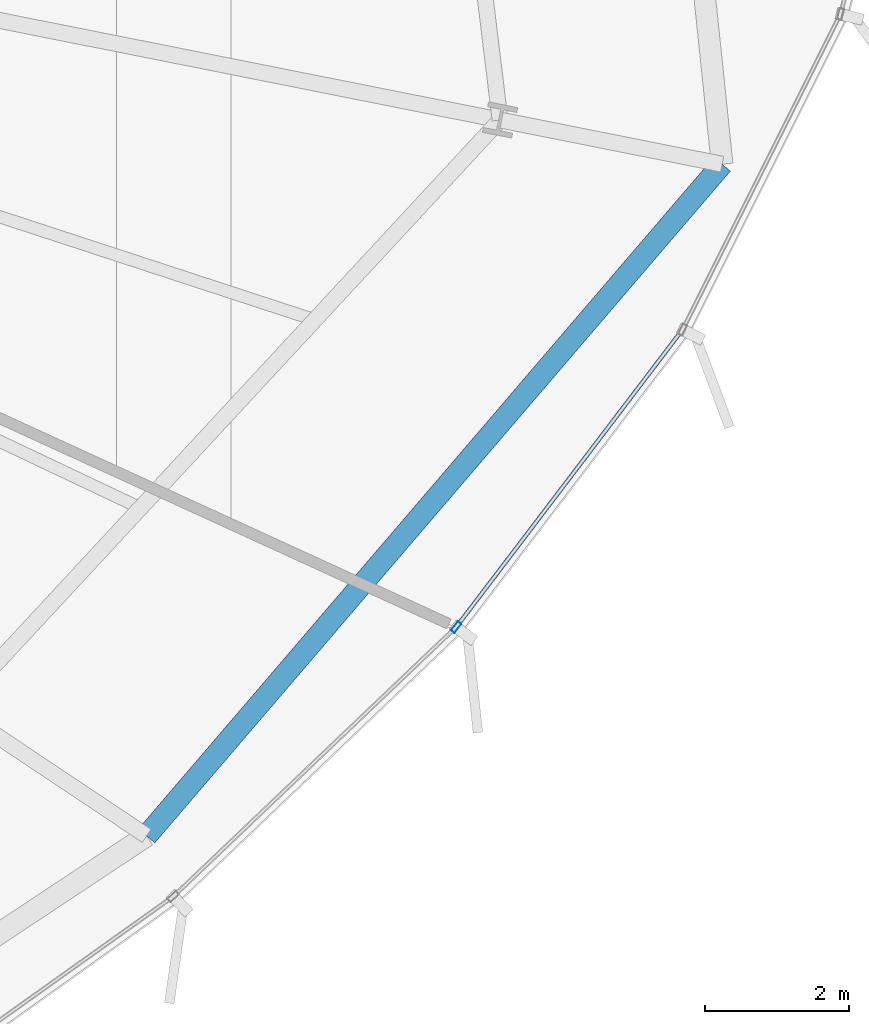
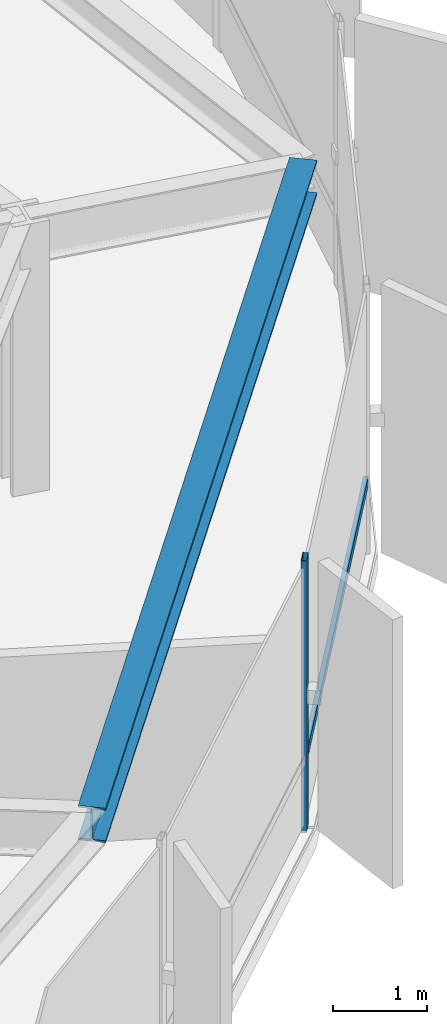
# One storey, part 14 of 38: 2 members, 1 beam, 1 element without a shape of its own.
"""IFC4 building model written with IfcOpenShell, lengths in metres."""

from ifc_helpers import new_model, si_unit, direction, frame, origin, origin_2d, place, context, subcontext, project, spatial, hollow_rectangle, i_section, extrude, source, transform, mapped, material, layer, layer_set, material_profile, profile_set, type_object, element, aggregate, save


model = new_model("IFC4")

# Units and contexts
model_context = context("Model", 3, precision=1e-05, world=origin(), true_north=direction((0.0, 1.0)))
body_context = subcontext(model_context, "Body", "Model", "MODEL_VIEW")
ifc_project = project(units=[si_unit("LENGTHUNIT", "METRE"), si_unit("AREAUNIT", "SQUARE_METRE"), si_unit("VOLUMEUNIT", "CUBIC_METRE"), si_unit("PLANEANGLEUNIT", "RADIAN"), si_unit("MASSUNIT", "GRAM", prefix="KILO"), si_unit("THERMODYNAMICTEMPERATUREUNIT", "KELVIN")], contexts=[model_context])

# Site, building, storey
site_placement = place(None, origin())
site = spatial("IfcSite", under=ifc_project, at=site_placement, CompositionType="ELEMENT")
building_placement = place(site_placement, origin())
building = spatial("IfcBuilding", under=site, at=building_placement, Name="Kethvar Cultural Tower", CompositionType="ELEMENT")
storey_placement = place(building_placement, frame((0.0, 0.0, 63.800048828125)))
storey = spatial("IfcBuildingStorey", under=building, at=storey_placement, Name="L15", CompositionType="ELEMENT", Elevation=63.800048828125)

# Beam
ifc_material_1 = material(Name="Steel S355J2", Category="steel")
ifc_material_profile_1 = material_profile(ifc_material_1, i_section(OverallWidth=0.300048828125, OverallDepth=0.449951171875, WebThickness=0.013916015625, FlangeThickness=0.02587890625, FilletRadius=0.027099609375, at=origin_2d()), Name="Steel S355J2 — HEB450")
ifc_profile_set_1 = profile_set([ifc_material_profile_1], Name="Steel S355J2 — HEB450")
beam_type = type_object("IfcBeamType", Name="BM-SP450", PredefinedType="SPANDREL", material=ifc_profile_set_1)
shared_shape_1 = source(origin(), body_context, "Body", "SweptSolid", [
    extrude(i_section(OverallWidth=0.300048828125, OverallDepth=0.449951171875, WebThickness=0.013916015625, FlangeThickness=0.02587890625, FilletRadius=0.027099609375, at=origin_2d()), origin(), (0.0, 0.0, 1.0), 12.290771484375),
])
beam_placement = place(storey_placement, frame((70.0791015625, 12.24560546875, 3.322998046875), z_axis=(0.650678493143, 0.759353342365, 0.0), x_axis=(-0.759353342365, 0.650678493143, 0.0)))
element("IfcBeam", 1, at=beam_placement, inside=storey, type_object=beam_type, Name="L15 Perimeter Spandrel Beam SP-15", PredefinedType="SPANDREL", context=body_context, shape_type="MappedRepresentation", body=[
    mapped(shared_shape_1, transform((0.0, 0.0, 0.0), scale=1.0)),
])

# Curtain wall, members
ifc_material_2 = material(Name="Aluminium 6063-T6", Category="aluminium")
ifc_layer = layer(ifc_material_2, 0.179931640625, Name="Aluminium 6063-T6", Category="aluminium")
ifc_layer_set = layer_set([ifc_layer], Name="Aluminium 6063-T6 (180 mm)")
curtain_wall_type = type_object("IfcCurtainWallType", Name="CW-SYS-02-Z1", PredefinedType="NOTDEFINED", material=ifc_layer_set)
curtain_wall_placement = place(storey_placement, origin())
curtain_wall = element("IfcCurtainWall", 2, at=curtain_wall_placement, inside=storey, type_object=curtain_wall_type, Name="L15 Curtain Wall Run 06", PredefinedType="NOTDEFINED")
ifc_material_profile_2 = material_profile(ifc_material_2, hollow_rectangle(XDim=0.06494140625, YDim=0.159912109375, WallThickness=0.0048828125, at=origin_2d()), Name="Aluminium 6063-T6 — RHS160x65x5")
ifc_profile_set_2 = profile_set([ifc_material_profile_2], Name="Aluminium 6063-T6 — RHS160x65x5")
member_type_1 = type_object("IfcMemberType", Name="CW-SYS-02-Z1-MUL", PredefinedType="MULLION", material=ifc_profile_set_2)
shared_shape_2 = source(origin(), body_context, "Body", "SweptSolid", [
    extrude(hollow_rectangle(XDim=0.06494140625, YDim=0.159912109375, WallThickness=0.0048828125, at=origin_2d()), origin(), (0.0, 0.0, 1.0), 3.550048828125),
])
member_1_placement = place(storey_placement, frame((74.38037109375, 15.144287109375, 0.0), z_axis=(0.0, 0.0, 1.0), x_axis=(-0.795917479791, 0.605405124989, 0.0)))
member_1 = element("IfcMember", 3, at=member_1_placement, type_object=member_type_1, Name="CW-L15-R06 Mullion 3", PredefinedType="MULLION", context=body_context, shape_type="MappedRepresentation", body=[
    mapped(shared_shape_2, transform((0.0, 0.0, 0.0), scale=1.0)),
])
ifc_material_profile_3 = material_profile(ifc_material_2, hollow_rectangle(XDim=0.054931640625, YDim=0.1201171875, WallThickness=0.00390625, at=origin_2d()), Name="Aluminium 6063-T6 — RHS120x55x4")
ifc_profile_set_3 = profile_set([ifc_material_profile_3], Name="Aluminium 6063-T6 — RHS120x55x4")
member_type_2 = type_object("IfcMemberType", Name="CW-SYS-02-Z1-TRN", PredefinedType="USERDEFINED", material=ifc_profile_set_3)
shared_shape_3 = source(origin(), body_context, "Body", "SweptSolid", [
    extrude(hollow_rectangle(XDim=0.054931640625, YDim=0.1201171875, WallThickness=0.00390625, at=origin_2d()), origin(), (0.0, 0.0, 1.0), 5.123046875),
])
member_2_placement = place(storey_placement, frame((74.40869140625, 15.181396484375, 0.949951171875), z_axis=(0.605422749945, 0.795904073271, 0.0), x_axis=(-0.795904073271, 0.605422749945, 0.0)))
member_2 = element("IfcMember", 4, at=member_2_placement, type_object=member_type_2, Name="CW-L15-R06 Transom 3", ObjectType="TRANSOM", PredefinedType="USERDEFINED", context=body_context, shape_type="MappedRepresentation", body=[
    mapped(shared_shape_3, transform((0.0, 0.0, 0.0), scale=1.0)),
])
aggregate(curtain_wall, [member_1, member_2])

save(model, "model.ifc")
